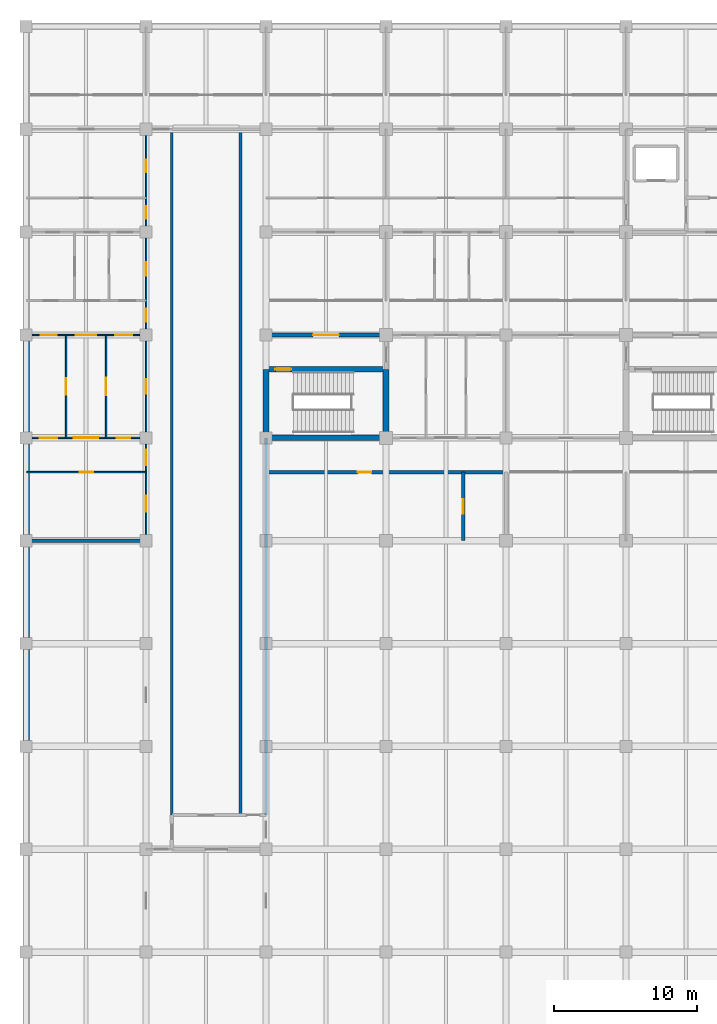
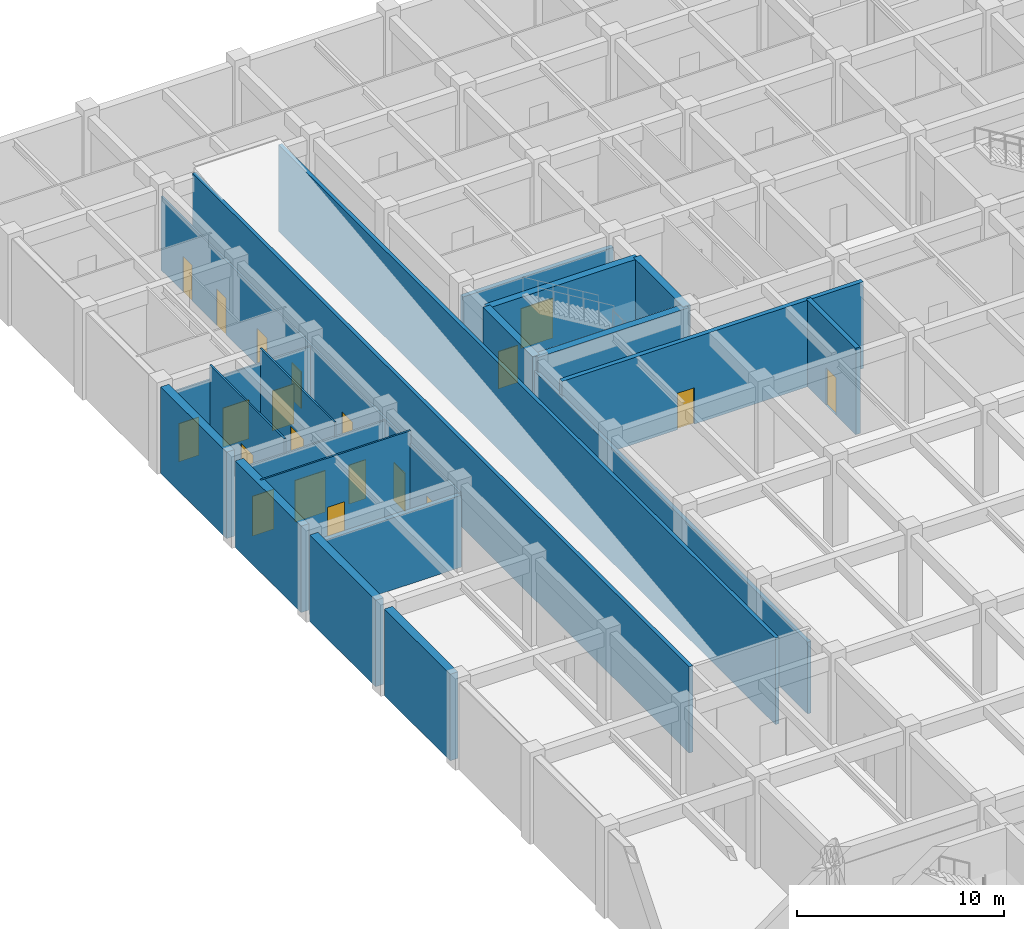
# One storey, part 19 of 48: 21 walls, 20 doors, 20 openings.
"""IFC4 building model written with IfcOpenShell, lengths in metres."""

from ifc_helpers import new_model, si_unit, direction, frame, frame_2d, origin, place, context, subcontext, project, spatial, rectangle, extrude, material, layer, layer_set, type_object, element, fill, save


model = new_model("IFC4")

# Units and contexts
model_context = context("Model", 3, precision=1e-05, world=origin(), true_north=direction((0.0, 1.0)))
body_context = subcontext(model_context, "Body", "Model", "MODEL_VIEW")
ifc_project = project(units=[si_unit("LENGTHUNIT", "METRE"), si_unit("AREAUNIT", "SQUARE_METRE"), si_unit("VOLUMEUNIT", "CUBIC_METRE"), si_unit("PLANEANGLEUNIT", "RADIAN"), si_unit("MASSUNIT", "GRAM", prefix="KILO")], contexts=[model_context])

# Site, building, storey
site_placement = place(None, origin())
site = spatial("IfcSite", under=ifc_project, at=site_placement, CompositionType="ELEMENT")
building_placement = place(site_placement, origin())
building = spatial("IfcBuilding", under=site, at=building_placement, Name="Chengyuan Square Courthouse", CompositionType="ELEMENT")
storey_placement = place(building_placement, frame((0.0, 0.0, -5.39990234375)))
storey = spatial("IfcBuildingStorey", under=building, at=storey_placement, Name="B01", CompositionType="ELEMENT", Elevation=-5.39990234375)

# Wall
ifc_material_1 = material(Name="Concrete C40", Category="concrete")
ifc_layer_1 = layer(ifc_material_1, 0.25)
ifc_layer_set_1 = layer_set([ifc_layer_1], Name="Concrete C40")
wall_type_1 = type_object("IfcWallType", Name="WL-FW1", PredefinedType="STANDARD", material=ifc_layer_set_1)
wall_1_placement = place(storey_placement, frame((0.0400390625, 79.199951171875, 0.0), z_axis=(0.0, 0.0, 1.0), x_axis=(1.0, 0.0, 0.0)))
element("IfcWall", 1, at=wall_1_placement, inside=storey, type_object=wall_type_1, Name="Interior Wall WL-B01-I297", PredefinedType="STANDARD", context=body_context, shape_type="SweptSolid", body=[
    extrude(rectangle(XDim=8.35986328125, YDim=0.25, at=frame_2d((4.179931640625, 0.0))), origin(), (0.0, 0.0, 1.0), 4.25),
])

# Wall, opening, door
wall_2_placement = place(storey_placement, frame((16.800048828125, 84.0, 0.0), z_axis=(0.0, 0.0, 1.0), x_axis=(1.0, 0.0, 0.0)))
wall_2 = element("IfcWall", 2, at=wall_2_placement, inside=storey, type_object=wall_type_1, Name="Interior Wall WL-B01-I302", PredefinedType="STANDARD", context=body_context, shape_type="SweptSolid", body=[
    extrude(rectangle(XDim=16.800048828125, YDim=0.25, at=frame_2d((8.39990234375, 0.0))), origin(), (0.0, 0.0, 1.0), 5.099853515625),
])
opening_1_placement = place(wall_2_placement, frame((6.425048828125, 0.0, 0.0)))
opening_1 = element("IfcOpeningElement", 3, at=opening_1_placement, cuts=wall_2, Name="Opening DR-617", PredefinedType="OPENING", context=body_context, shape_type="SweptSolid", body=[
    extrude(rectangle(XDim=0.949951171875, YDim=2.14990234375, at=frame_2d((0.47509765625, 1.074951171875))), frame((0.0, 0.136962890625, 0.0), z_axis=(0.0, -1.0, 0.0), x_axis=(1.0, 0.0, 0.0)), (0.0, 0.0, 1.0), 0.27392578125),
])
ifc_material_2 = material(Name="Steel Q235B Fire Door", Category="steel")
door_type_1 = type_object("IfcDoorType", Name="DT-12", OperationType="NOTDEFINED", PredefinedType="DOOR", material=ifc_material_2)
door_1_placement = place(opening_1_placement, origin())
door_1 = element("IfcDoor", 4, at=door_1_placement, inside=storey, type_object=door_type_1, Name="Interior Door DR-617", OperationType="SINGLE_SWING_RIGHT", OverallHeight=2.14990234375, OverallWidth=0.949951171875, PredefinedType="DOOR", context=body_context, shape_type="SweptSolid", body=[
    extrude(rectangle(XDim=0.949951171875, YDim=2.14990234375, at=frame_2d((0.47509765625, 1.074951171875))), frame((0.0, 0.02490234375, 0.0), z_axis=(0.0, -1.0, 0.0), x_axis=(1.0, 0.0, 0.0)), (0.0, 0.0, 1.0), 0.050048828125),
])
fill(opening_1, door_1)

wall_3_placement = place(storey_placement, frame((16.800048828125, 93.60009765625, 0.0), z_axis=(0.0, 0.0, 1.0), x_axis=(1.0, 0.0, 0.0)))
wall_3 = element("IfcWall", 5, at=wall_3_placement, inside=storey, type_object=wall_type_1, Name="Interior Wall WL-B01-I337", PredefinedType="STANDARD", context=body_context, shape_type="SweptSolid", body=[
    extrude(rectangle(XDim=8.39990234375, YDim=0.25, at=frame_2d((4.199951171875, 0.0))), origin(), (0.0, 0.0, 1.0), 4.25),
])
opening_2_placement = place(wall_3_placement, frame((3.28759765625, 0.0, 0.0)))
opening_2 = element("IfcOpeningElement", 6, at=opening_2_placement, cuts=wall_3, Name="Opening DR-369", PredefinedType="OPENING", context=body_context, shape_type="SweptSolid", body=[
    extrude(rectangle(XDim=1.800048828125, YDim=2.35009765625, at=frame_2d((0.89990234375, 1.175048828125))), frame((0.0, 0.136962890625, 0.0), z_axis=(0.0, -1.0, 0.0), x_axis=(1.0, 0.0, 0.0)), (0.0, 0.0, 1.0), 0.27392578125),
])
ifc_material_3 = material(Name="Steel Q235B Glazed Fire Door", Category="steel")
door_type_2 = type_object("IfcDoorType", Name="DT-18", OperationType="DOUBLE_DOOR_SINGLE_SWING", PredefinedType="DOOR", material=ifc_material_3)
door_2_placement = place(opening_2_placement, frame((1.800048828125, 0.0, 0.0), z_axis=(0.0, 0.0, 1.0), x_axis=(-1.0, 0.0, 0.0)))
door_2 = element("IfcDoor", 7, at=door_2_placement, inside=storey, type_object=door_type_2, Name="Interior Door DR-369", OperationType="DOUBLE_DOOR_SINGLE_SWING", OverallHeight=2.35009765625, OverallWidth=1.800048828125, PredefinedType="DOOR", context=body_context, shape_type="SweptSolid", body=[
    extrude(rectangle(XDim=1.800048828125, YDim=2.35009765625, at=frame_2d((0.89990234375, 1.175048828125))), frame((0.0, 0.02490234375, 0.0), z_axis=(0.0, -1.0, 0.0), x_axis=(1.0, 0.0, 0.0)), (0.0, 0.0, 1.0), 0.050048828125),
])
fill(opening_2, door_2)

wall_4_placement = place(storey_placement, frame((30.60009765625, 79.199951171875, 0.0), z_axis=(0.0, 0.0, 1.0), x_axis=(0.0, 1.0, 0.0)))
wall_4 = element("IfcWall", 8, at=wall_4_placement, inside=storey, type_object=wall_type_1, Name="Interior Wall WL-B01-I452", PredefinedType="STANDARD", context=body_context, shape_type="SweptSolid", body=[
    extrude(rectangle(XDim=4.800048828125, YDim=0.25, at=frame_2d((2.39990234375, 0.0))), origin(), (0.0, 0.0, 1.0), 5.099853515625),
])
opening_3_placement = place(wall_4_placement, frame((1.89990234375, 0.0, 0.0)))
opening_3 = element("IfcOpeningElement", 9, at=opening_3_placement, cuts=wall_4, Name="Opening DR-637", PredefinedType="OPENING", context=body_context, shape_type="SweptSolid", body=[
    extrude(rectangle(XDim=1.0, YDim=2.199951171875, at=frame_2d((0.5, 1.10009765625))), frame((0.0, 0.136962890625, 0.0), z_axis=(0.0, -1.0, 0.0), x_axis=(1.0, 0.0, 0.0)), (0.0, 0.0, 1.0), 0.27392578125),
])
door_type_3 = type_object("IfcDoorType", Name="DT-11", OperationType="NOTDEFINED", PredefinedType="DOOR", material=ifc_material_2)
door_3_placement = place(opening_3_placement, origin())
door_3 = element("IfcDoor", 10, at=door_3_placement, inside=storey, type_object=door_type_3, Name="Interior Door DR-637", OperationType="SINGLE_SWING_RIGHT", OverallHeight=2.199951171875, OverallWidth=1.0, PredefinedType="DOOR", context=body_context, shape_type="SweptSolid", body=[
    extrude(rectangle(XDim=1.0, YDim=2.199951171875, at=frame_2d((0.5, 1.10009765625))), frame((0.0, 0.02490234375, 0.0), z_axis=(0.0, -1.0, 0.0), x_axis=(1.0, 0.0, 0.0)), (0.0, 0.0, 1.0), 0.050048828125),
])
fill(opening_3, door_3)

ifc_material_4 = material(Name="Gypsum Plasterboard Acoustic Stud Partition")
ifc_layer_2 = layer(ifc_material_4, 0.10009765625)
ifc_layer_set_2 = layer_set([ifc_layer_2], Name="Gypsum Plasterboard Acoustic Stud Partition")
wall_type_2 = type_object("IfcWallType", Name="WL-PT6", PredefinedType="STANDARD", material=ifc_layer_set_2)
wall_5_placement = place(storey_placement, frame((0.0400390625, 84.0, 0.0), z_axis=(0.0, 0.0, 1.0), x_axis=(1.0, 0.0, 0.0)))
wall_5 = element("IfcWall", 11, at=wall_5_placement, inside=storey, type_object=wall_type_2, Name="Interior Wall WL-B01-I301", PredefinedType="STANDARD", context=body_context, shape_type="SweptSolid", body=[
    extrude(rectangle(XDim=8.35986328125, YDim=0.10009765625, at=frame_2d((4.179931640625, 0.0))), origin(), (0.0, 0.0, 1.0), 5.099853515625),
])
opening_4_placement = place(wall_5_placement, frame((3.699951171875, 0.0, 0.0)))
opening_4 = element("IfcOpeningElement", 12, at=opening_4_placement, cuts=wall_5, Name="Opening DR-615", PredefinedType="OPENING", context=body_context, shape_type="SweptSolid", body=[
    extrude(rectangle(XDim=0.9599609375, YDim=2.199951171875, at=frame_2d((0.47998046875, 1.10009765625))), frame((0.0, 0.06201171875, 0.0), z_axis=(0.0, -1.0, 0.0), x_axis=(1.0, 0.0, 0.0)), (0.0, 0.0, 1.0), 0.1240234375),
])
ifc_material_5 = material(Name="Acoustic Solid-Core Timber Door", Category="wood")
door_type_4 = type_object("IfcDoorType", Name="DT-30", OperationType="NOTDEFINED", PredefinedType="DOOR", material=ifc_material_5)
door_4_placement = place(opening_4_placement, origin())
door_4 = element("IfcDoor", 13, at=door_4_placement, inside=storey, type_object=door_type_4, Name="Interior Door DR-615", OperationType="SINGLE_SWING_RIGHT", OverallHeight=2.199951171875, OverallWidth=0.9599609375, PredefinedType="DOOR", context=body_context, shape_type="SweptSolid", body=[
    extrude(rectangle(XDim=0.9599609375, YDim=2.199951171875, at=frame_2d((0.47998046875, 1.10009765625))), frame((0.0, 0.02490234375, 0.0), z_axis=(0.0, -1.0, 0.0), x_axis=(1.0, 0.0, 0.0)), (0.0, 0.0, 1.0), 0.050048828125),
])
fill(opening_4, door_4)

# Wall, openings, doors
wall_6_placement = place(storey_placement, frame((0.0400390625, 86.39990234375, 0.0), z_axis=(0.0, 0.0, 1.0), x_axis=(1.0, 0.0, 0.0)))
wall_6 = element("IfcWall", 14, at=wall_6_placement, inside=storey, type_object=wall_type_2, Name="Interior Wall WL-B01-I305", PredefinedType="STANDARD", context=body_context, shape_type="SweptSolid", body=[
    extrude(rectangle(XDim=8.35986328125, YDim=0.10009765625, at=frame_2d((4.179931640625, 0.0))), origin(), (0.0, 0.0, 1.0), 4.25),
])
opening_5_placement = place(wall_6_placement, frame((0.9326171875, 0.0, 0.0)))
opening_5 = element("IfcOpeningElement", 15, at=opening_5_placement, cuts=wall_6, Name="Opening DR-553", PredefinedType="OPENING", context=body_context, shape_type="SweptSolid", body=[
    extrude(rectangle(XDim=1.199951171875, YDim=2.35009765625, at=frame_2d((0.60009765625, 1.175048828125))), frame((0.0, 0.06201171875, 0.0), z_axis=(0.0, -1.0, 0.0), x_axis=(1.0, 0.0, 0.0)), (0.0, 0.0, 1.0), 0.1240234375),
])
opening_6_placement = place(wall_6_placement, frame((3.31005859375, 0.0, 0.0)))
opening_6 = element("IfcOpeningElement", 16, at=opening_6_placement, cuts=wall_6, Name="Opening DR-555", PredefinedType="OPENING", context=body_context, shape_type="SweptSolid", body=[
    extrude(rectangle(XDim=1.699951171875, YDim=2.449951171875, at=frame_2d((0.85009765625, 1.22509765625))), frame((0.0, 0.06201171875, 0.0), z_axis=(0.0, -1.0, 0.0), x_axis=(1.0, 0.0, 0.0)), (0.0, 0.0, 1.0), 0.1240234375),
])
opening_7_placement = place(wall_6_placement, frame((6.3173828125, 0.0, 0.0)))
opening_7 = element("IfcOpeningElement", 17, at=opening_7_placement, cuts=wall_6, Name="Opening DR-556", PredefinedType="OPENING", context=body_context, shape_type="SweptSolid", body=[
    extrude(rectangle(XDim=0.93994140625, YDim=2.300048828125, at=frame_2d((0.469970703125, 1.14990234375))), frame((0.0, 0.06201171875, 0.0), z_axis=(0.0, -1.0, 0.0), x_axis=(1.0, 0.0, 0.0)), (0.0, 0.0, 1.0), 0.1240234375),
])
ifc_material_6 = material(Name="Acoustic Larch Veneer Double Door")
door_type_5 = type_object("IfcDoorType", Name="DT-24", OperationType="DOUBLE_DOOR_SINGLE_SWING", PredefinedType="DOOR", material=ifc_material_6)
door_5_placement = place(opening_6_placement, frame((1.699951171875, 0.0, 0.0), z_axis=(0.0, 0.0, 1.0), x_axis=(-1.0, 0.0, 0.0)))
door_5 = element("IfcDoor", 18, at=door_5_placement, inside=storey, type_object=door_type_5, Name="Interior Door DR-555", OperationType="DOUBLE_DOOR_SINGLE_SWING", OverallHeight=2.449951171875, OverallWidth=1.699951171875, PredefinedType="DOOR", context=body_context, shape_type="SweptSolid", body=[
    extrude(rectangle(XDim=1.699951171875, YDim=2.449951171875, at=frame_2d((0.85009765625, 1.22509765625))), frame((0.0, 0.02490234375, 0.0), z_axis=(0.0, -1.0, 0.0), x_axis=(1.0, 0.0, 0.0)), (0.0, 0.0, 1.0), 0.050048828125),
])
fill(opening_6, door_5)
door_type_6 = type_object("IfcDoorType", Name="DT-36", OperationType="NOTDEFINED", PredefinedType="DOOR", material=ifc_material_5)
door_6_placement = place(opening_5_placement, origin())
door_6 = element("IfcDoor", 19, at=door_6_placement, inside=storey, type_object=door_type_6, Name="Interior Door DR-553", OperationType="SINGLE_SWING_RIGHT", OverallHeight=2.35009765625, OverallWidth=1.199951171875, PredefinedType="DOOR", context=body_context, shape_type="SweptSolid", body=[
    extrude(rectangle(XDim=1.199951171875, YDim=2.35009765625, at=frame_2d((0.60009765625, 1.175048828125))), frame((0.0, 0.02490234375, 0.0), z_axis=(0.0, -1.0, 0.0), x_axis=(1.0, 0.0, 0.0)), (0.0, 0.0, 1.0), 0.050048828125),
])
fill(opening_5, door_6)
door_type_7 = type_object("IfcDoorType", Name="DT-39", OperationType="NOTDEFINED", PredefinedType="DOOR", material=ifc_material_5)
door_7_placement = place(opening_7_placement, origin())
door_7 = element("IfcDoor", 20, at=door_7_placement, inside=storey, type_object=door_type_7, Name="Interior Door DR-556", OperationType="SINGLE_SWING_RIGHT", OverallHeight=2.300048828125, OverallWidth=0.93994140625, PredefinedType="DOOR", context=body_context, shape_type="SweptSolid", body=[
    extrude(rectangle(XDim=0.93994140625, YDim=2.300048828125, at=frame_2d((0.469970703125, 1.14990234375))), frame((0.0, 0.02490234375, 0.0), z_axis=(0.0, -1.0, 0.0), x_axis=(1.0, 0.0, 0.0)), (0.0, 0.0, 1.0), 0.050048828125),
])
fill(opening_7, door_7)

wall_7_placement = place(storey_placement, frame((0.0400390625, 93.60009765625, 0.0), z_axis=(0.0, 0.0, 1.0), x_axis=(1.0, 0.0, 0.0)))
wall_7 = element("IfcWall", 21, at=wall_7_placement, inside=storey, type_object=wall_type_2, Name="Interior Wall WL-B01-I336", PredefinedType="STANDARD", context=body_context, shape_type="SweptSolid", body=[
    extrude(rectangle(XDim=8.35986328125, YDim=0.10009765625, at=frame_2d((4.179931640625, 0.0))), origin(), (0.0, 0.0, 1.0), 4.25),
])
opening_8_placement = place(wall_7_placement, frame((0.972412109375, 0.0, 0.0)))
opening_8 = element("IfcOpeningElement", 22, at=opening_8_placement, cuts=wall_7, Name="Opening DR-483", PredefinedType="OPENING", context=body_context, shape_type="SweptSolid", body=[
    extrude(rectangle(XDim=1.1201171875, YDim=2.25, at=frame_2d((0.56005859375, 1.125))), frame((0.0, 0.06201171875, 0.0), z_axis=(0.0, -1.0, 0.0), x_axis=(1.0, 0.0, 0.0)), (0.0, 0.0, 1.0), 0.1240234375),
])
opening_9_placement = place(wall_7_placement, frame((3.43505859375, 0.0, 0.0)))
opening_9 = element("IfcOpeningElement", 23, at=opening_9_placement, cuts=wall_7, Name="Opening DR-484", PredefinedType="OPENING", context=body_context, shape_type="SweptSolid", body=[
    extrude(rectangle(XDim=1.449951171875, YDim=2.300048828125, at=frame_2d((0.72509765625, 1.14990234375))), frame((0.0, 0.06201171875, 0.0), z_axis=(0.0, -1.0, 0.0), x_axis=(1.0, 0.0, 0.0)), (0.0, 0.0, 1.0), 0.1240234375),
])
opening_10_placement = place(wall_7_placement, frame((6.1875, 0.0, 0.0)))
opening_10 = element("IfcOpeningElement", 24, at=opening_10_placement, cuts=wall_7, Name="Opening DR-485", PredefinedType="OPENING", context=body_context, shape_type="SweptSolid", body=[
    extrude(rectangle(XDim=1.199951171875, YDim=2.35009765625, at=frame_2d((0.60009765625, 1.175048828125))), frame((0.0, 0.06201171875, 0.0), z_axis=(0.0, -1.0, 0.0), x_axis=(1.0, 0.0, 0.0)), (0.0, 0.0, 1.0), 0.1240234375),
])
door_type_8 = type_object("IfcDoorType", Name="DT-25", OperationType="DOUBLE_DOOR_SINGLE_SWING", PredefinedType="DOOR", material=ifc_material_6)
door_8_placement = place(opening_9_placement, frame((1.449951171875, 0.0, 0.0), z_axis=(0.0, 0.0, 1.0), x_axis=(-1.0, 0.0, 0.0)))
door_8 = element("IfcDoor", 25, at=door_8_placement, inside=storey, type_object=door_type_8, Name="Interior Door DR-484", OperationType="DOUBLE_DOOR_SINGLE_SWING", OverallHeight=2.300048828125, OverallWidth=1.449951171875, PredefinedType="DOOR", context=body_context, shape_type="SweptSolid", body=[
    extrude(rectangle(XDim=1.449951171875, YDim=2.300048828125, at=frame_2d((0.72509765625, 1.14990234375))), frame((0.0, 0.02490234375, 0.0), z_axis=(0.0, -1.0, 0.0), x_axis=(1.0, 0.0, 0.0)), (0.0, 0.0, 1.0), 0.050048828125),
])
fill(opening_9, door_8)
door_type_9 = type_object("IfcDoorType", Name="DT-34", OperationType="NOTDEFINED", PredefinedType="DOOR", material=ifc_material_5)
door_9_placement = place(opening_8_placement, origin())
door_9 = element("IfcDoor", 26, at=door_9_placement, inside=storey, type_object=door_type_9, Name="Interior Door DR-483", OperationType="SINGLE_SWING_LEFT", OverallHeight=2.25, OverallWidth=1.1201171875, PredefinedType="DOOR", context=body_context, shape_type="SweptSolid", body=[
    extrude(rectangle(XDim=1.1201171875, YDim=2.25, at=frame_2d((0.56005859375, 1.125))), frame((0.0, 0.02490234375, 0.0), z_axis=(0.0, -1.0, 0.0), x_axis=(1.0, 0.0, 0.0)), (0.0, 0.0, 1.0), 0.050048828125),
])
fill(opening_8, door_9)
door_10_placement = place(opening_10_placement, origin())
door_10 = element("IfcDoor", 27, at=door_10_placement, inside=storey, type_object=door_type_6, Name="Interior Door DR-485", OperationType="SINGLE_SWING_RIGHT", OverallHeight=2.35009765625, OverallWidth=1.199951171875, PredefinedType="DOOR", context=body_context, shape_type="SweptSolid", body=[
    extrude(rectangle(XDim=1.199951171875, YDim=2.35009765625, at=frame_2d((0.60009765625, 1.175048828125))), frame((0.0, 0.02490234375, 0.0), z_axis=(0.0, -1.0, 0.0), x_axis=(1.0, 0.0, 0.0)), (0.0, 0.0, 1.0), 0.050048828125),
])
fill(opening_10, door_10)

# Wall, opening, door
wall_8_placement = place(storey_placement, frame((2.800048828125, 86.39990234375, 0.0), z_axis=(0.0, 0.0, 1.0), x_axis=(0.0, 1.0, 0.0)))
wall_8 = element("IfcWall", 28, at=wall_8_placement, inside=storey, type_object=wall_type_2, Name="Interior Wall WL-B01-I428", PredefinedType="STANDARD", context=body_context, shape_type="SweptSolid", body=[
    extrude(rectangle(XDim=7.2001953125, YDim=0.10009765625, at=frame_2d((3.60009765625, 0.0))), origin(), (0.0, 0.0, 1.0), 5.099853515625),
])
opening_11_placement = place(wall_8_placement, frame((3.02001953125, 0.0, 0.0)))
opening_11 = element("IfcOpeningElement", 29, at=opening_11_placement, cuts=wall_8, Name="Opening DR-552", PredefinedType="OPENING", context=body_context, shape_type="SweptSolid", body=[
    extrude(rectangle(XDim=1.159912109375, YDim=2.300048828125, at=frame_2d((0.580078125, 1.14990234375))), frame((0.0, 0.06201171875, 0.0), z_axis=(0.0, -1.0, 0.0), x_axis=(1.0, 0.0, 0.0)), (0.0, 0.0, 1.0), 0.1240234375),
])
door_type_10 = type_object("IfcDoorType", Name="DT-35", OperationType="NOTDEFINED", PredefinedType="DOOR", material=ifc_material_5)
door_11_placement = place(opening_11_placement, origin())
door_11 = element("IfcDoor", 30, at=door_11_placement, inside=storey, type_object=door_type_10, Name="Interior Door DR-552", OperationType="SINGLE_SWING_LEFT", OverallHeight=2.300048828125, OverallWidth=1.159912109375, PredefinedType="DOOR", context=body_context, shape_type="SweptSolid", body=[
    extrude(rectangle(XDim=1.159912109375, YDim=2.300048828125, at=frame_2d((0.580078125, 1.14990234375))), frame((0.0, 0.02490234375, 0.0), z_axis=(0.0, -1.0, 0.0), x_axis=(1.0, 0.0, 0.0)), (0.0, 0.0, 1.0), 0.050048828125),
])
fill(opening_11, door_11)

wall_9_placement = place(storey_placement, frame((5.60009765625, 86.39990234375, 0.0), z_axis=(0.0, 0.0, 1.0), x_axis=(0.0, 1.0, 0.0)))
wall_9 = element("IfcWall", 31, at=wall_9_placement, inside=storey, type_object=wall_type_2, Name="Interior Wall WL-B01-I430", PredefinedType="STANDARD", context=body_context, shape_type="SweptSolid", body=[
    extrude(rectangle(XDim=7.2001953125, YDim=0.10009765625, at=frame_2d((3.60009765625, 0.0))), origin(), (0.0, 0.0, 1.0), 5.099853515625),
])
opening_12_placement = place(wall_9_placement, frame((2.97998046875, 0.0, 0.0)))
opening_12 = element("IfcOpeningElement", 32, at=opening_12_placement, cuts=wall_9, Name="Opening DR-554", PredefinedType="OPENING", context=body_context, shape_type="SweptSolid", body=[
    extrude(rectangle(XDim=1.239990234375, YDim=2.300048828125, at=frame_2d((0.6201171875, 1.14990234375))), frame((0.0, 0.06201171875, 0.0), z_axis=(0.0, -1.0, 0.0), x_axis=(1.0, 0.0, 0.0)), (0.0, 0.0, 1.0), 0.1240234375),
])
door_type_11 = type_object("IfcDoorType", Name="DT-37", OperationType="NOTDEFINED", PredefinedType="DOOR", material=ifc_material_5)
door_12_placement = place(opening_12_placement, origin())
door_12 = element("IfcDoor", 33, at=door_12_placement, inside=storey, type_object=door_type_11, Name="Interior Door DR-554", OperationType="SINGLE_SWING_LEFT", OverallHeight=2.300048828125, OverallWidth=1.239990234375, PredefinedType="DOOR", context=body_context, shape_type="SweptSolid", body=[
    extrude(rectangle(XDim=1.239990234375, YDim=2.300048828125, at=frame_2d((0.6201171875, 1.14990234375))), frame((0.0, 0.02490234375, 0.0), z_axis=(0.0, -1.0, 0.0), x_axis=(1.0, 0.0, 0.0)), (0.0, 0.0, 1.0), 0.050048828125),
])
fill(opening_12, door_12)

# Wall, openings, doors
wall_10_placement = place(storey_placement, frame((8.39990234375, 79.199951171875, 0.0), z_axis=(0.0, 0.0, 1.0), x_axis=(0.0, 1.0, 0.0)))
wall_10 = element("IfcWall", 34, at=wall_10_placement, inside=storey, type_object=wall_type_2, Name="Interior Wall WL-B01-I434", PredefinedType="STANDARD", context=body_context, shape_type="SweptSolid", body=[
    extrude(rectangle(XDim=28.800048828125, YDim=0.10009765625, at=frame_2d((14.39990234375, 0.0))), origin(), (0.0, 0.0, 1.0), 4.349853515625),
])
opening_13_placement = place(wall_10_placement, frame((22.5224609375, 0.0, 0.0)))
opening_13 = element("IfcOpeningElement", 35, at=opening_13_placement, cuts=wall_10, Name="Opening DR-374", PredefinedType="OPENING", context=body_context, shape_type="SweptSolid", body=[
    extrude(rectangle(XDim=0.89990234375, YDim=2.14990234375, at=frame_2d((0.449951171875, 1.074951171875))), frame((0.0, 0.06201171875, 0.0), z_axis=(0.0, -1.0, 0.0), x_axis=(1.0, 0.0, 0.0)), (0.0, 0.0, 1.0), 0.1240234375),
])
opening_14_placement = place(wall_10_placement, frame((25.797607421875, 0.0, 0.0)))
opening_14 = element("IfcOpeningElement", 36, at=opening_14_placement, cuts=wall_10, Name="Opening DR-375", PredefinedType="OPENING", context=body_context, shape_type="SweptSolid", body=[
    extrude(rectangle(XDim=0.860107421875, YDim=2.10009765625, at=frame_2d((0.43017578125, 1.050048828125))), frame((0.0, 0.06201171875, 0.0), z_axis=(0.0, -1.0, 0.0), x_axis=(1.0, 0.0, 0.0)), (0.0, 0.0, 1.0), 0.1240234375),
])
opening_15_placement = place(wall_10_placement, frame((15.3125, 0.0, 0.0)))
opening_15 = element("IfcOpeningElement", 37, at=opening_15_placement, cuts=wall_10, Name="Opening DR-376", PredefinedType="OPENING", context=body_context, shape_type="SweptSolid", body=[
    extrude(rectangle(XDim=0.919921875, YDim=2.14990234375, at=frame_2d((0.4599609375, 1.074951171875))), frame((0.0, 0.06201171875, 0.0), z_axis=(0.0, -1.0, 0.0), x_axis=(1.0, 0.0, 0.0)), (0.0, 0.0, 1.0), 0.1240234375),
])
opening_16_placement = place(wall_10_placement, frame((18.547607421875, 0.0, 0.0)))
opening_16 = element("IfcOpeningElement", 38, at=opening_16_placement, cuts=wall_10, Name="Opening DR-377", PredefinedType="OPENING", context=body_context, shape_type="SweptSolid", body=[
    extrude(rectangle(XDim=0.9599609375, YDim=2.199951171875, at=frame_2d((0.47998046875, 1.10009765625))), frame((0.0, 0.06201171875, 0.0), z_axis=(0.0, -1.0, 0.0), x_axis=(1.0, 0.0, 0.0)), (0.0, 0.0, 1.0), 0.1240234375),
])
opening_17_placement = place(wall_10_placement, frame((10.300048828125, 0.0, 0.0)))
opening_17 = element("IfcOpeningElement", 39, at=opening_17_placement, cuts=wall_10, Name="Opening DR-378", PredefinedType="OPENING", context=body_context, shape_type="SweptSolid", body=[
    extrude(rectangle(XDim=1.0, YDim=2.25, at=frame_2d((0.5, 1.125))), frame((0.0, 0.06201171875, 0.0), z_axis=(0.0, -1.0, 0.0), x_axis=(1.0, 0.0, 0.0)), (0.0, 0.0, 1.0), 0.1240234375),
])
opening_18_placement = place(wall_10_placement, frame((5.28759765625, 0.0, 0.0)))
opening_18 = element("IfcOpeningElement", 40, at=opening_18_placement, cuts=wall_10, Name="Opening DR-380", PredefinedType="OPENING", context=body_context, shape_type="SweptSolid", body=[
    extrude(rectangle(XDim=1.080078125, YDim=2.25, at=frame_2d((0.5400390625, 1.125))), frame((0.0, 0.06201171875, 0.0), z_axis=(0.0, -1.0, 0.0), x_axis=(1.0, 0.0, 0.0)), (0.0, 0.0, 1.0), 0.1240234375),
])
opening_19_placement = place(wall_10_placement, frame((2.012451171875, 0.0, 0.0)))
opening_19 = element("IfcOpeningElement", 41, at=opening_19_placement, cuts=wall_10, Name="Opening DR-381", PredefinedType="OPENING", context=body_context, shape_type="SweptSolid", body=[
    extrude(rectangle(XDim=1.1201171875, YDim=2.25, at=frame_2d((0.56005859375, 1.125))), frame((0.0, 0.06201171875, 0.0), z_axis=(0.0, -1.0, 0.0), x_axis=(1.0, 0.0, 0.0)), (0.0, 0.0, 1.0), 0.1240234375),
])
door_type_12 = type_object("IfcDoorType", Name="DT-27", OperationType="NOTDEFINED", PredefinedType="DOOR", material=ifc_material_5)
door_13_placement = place(opening_13_placement, origin())
door_13 = element("IfcDoor", 42, at=door_13_placement, inside=storey, type_object=door_type_12, Name="Interior Door DR-374", OperationType="SINGLE_SWING_LEFT", OverallHeight=2.14990234375, OverallWidth=0.89990234375, PredefinedType="DOOR", context=body_context, shape_type="SweptSolid", body=[
    extrude(rectangle(XDim=0.89990234375, YDim=2.14990234375, at=frame_2d((0.449951171875, 1.074951171875))), frame((0.0, 0.02490234375, 0.0), z_axis=(0.0, -1.0, 0.0), x_axis=(1.0, 0.0, 0.0)), (0.0, 0.0, 1.0), 0.050048828125),
])
fill(opening_13, door_13)
door_type_13 = type_object("IfcDoorType", Name="DT-28", OperationType="NOTDEFINED", PredefinedType="DOOR", material=ifc_material_5)
door_14_placement = place(opening_14_placement, origin())
door_14 = element("IfcDoor", 43, at=door_14_placement, inside=storey, type_object=door_type_13, Name="Interior Door DR-375", OperationType="SINGLE_SWING_RIGHT", OverallHeight=2.10009765625, OverallWidth=0.860107421875, PredefinedType="DOOR", context=body_context, shape_type="SweptSolid", body=[
    extrude(rectangle(XDim=0.860107421875, YDim=2.10009765625, at=frame_2d((0.43017578125, 1.050048828125))), frame((0.0, 0.02490234375, 0.0), z_axis=(0.0, -1.0, 0.0), x_axis=(1.0, 0.0, 0.0)), (0.0, 0.0, 1.0), 0.050048828125),
])
fill(opening_14, door_14)
door_type_14 = type_object("IfcDoorType", Name="DT-29", OperationType="NOTDEFINED", PredefinedType="DOOR", material=ifc_material_5)
door_15_placement = place(opening_15_placement, origin())
door_15 = element("IfcDoor", 44, at=door_15_placement, inside=storey, type_object=door_type_14, Name="Interior Door DR-376", OperationType="SINGLE_SWING_LEFT", OverallHeight=2.14990234375, OverallWidth=0.919921875, PredefinedType="DOOR", context=body_context, shape_type="SweptSolid", body=[
    extrude(rectangle(XDim=0.919921875, YDim=2.14990234375, at=frame_2d((0.4599609375, 1.074951171875))), frame((0.0, 0.02490234375, 0.0), z_axis=(0.0, -1.0, 0.0), x_axis=(1.0, 0.0, 0.0)), (0.0, 0.0, 1.0), 0.050048828125),
])
fill(opening_15, door_15)
door_16_placement = place(opening_16_placement, origin())
door_16 = element("IfcDoor", 45, at=door_16_placement, inside=storey, type_object=door_type_4, Name="Interior Door DR-377", OperationType="SINGLE_SWING_RIGHT", OverallHeight=2.199951171875, OverallWidth=0.9599609375, PredefinedType="DOOR", context=body_context, shape_type="SweptSolid", body=[
    extrude(rectangle(XDim=0.9599609375, YDim=2.199951171875, at=frame_2d((0.47998046875, 1.10009765625))), frame((0.0, 0.02490234375, 0.0), z_axis=(0.0, -1.0, 0.0), x_axis=(1.0, 0.0, 0.0)), (0.0, 0.0, 1.0), 0.050048828125),
])
fill(opening_16, door_16)
door_type_15 = type_object("IfcDoorType", Name="DT-31", OperationType="NOTDEFINED", PredefinedType="DOOR", material=ifc_material_5)
door_17_placement = place(opening_17_placement, origin())
door_17 = element("IfcDoor", 46, at=door_17_placement, inside=storey, type_object=door_type_15, Name="Interior Door DR-378", OperationType="SINGLE_SWING_LEFT", OverallHeight=2.25, OverallWidth=1.0, PredefinedType="DOOR", context=body_context, shape_type="SweptSolid", body=[
    extrude(rectangle(XDim=1.0, YDim=2.25, at=frame_2d((0.5, 1.125))), frame((0.0, 0.02490234375, 0.0), z_axis=(0.0, -1.0, 0.0), x_axis=(1.0, 0.0, 0.0)), (0.0, 0.0, 1.0), 0.050048828125),
])
fill(opening_17, door_17)
door_type_16 = type_object("IfcDoorType", Name="DT-33", OperationType="NOTDEFINED", PredefinedType="DOOR", material=ifc_material_5)
door_18_placement = place(opening_18_placement, origin())
door_18 = element("IfcDoor", 47, at=door_18_placement, inside=storey, type_object=door_type_16, Name="Interior Door DR-380", OperationType="SINGLE_SWING_LEFT", OverallHeight=2.25, OverallWidth=1.080078125, PredefinedType="DOOR", context=body_context, shape_type="SweptSolid", body=[
    extrude(rectangle(XDim=1.080078125, YDim=2.25, at=frame_2d((0.5400390625, 1.125))), frame((0.0, 0.02490234375, 0.0), z_axis=(0.0, -1.0, 0.0), x_axis=(1.0, 0.0, 0.0)), (0.0, 0.0, 1.0), 0.050048828125),
])
fill(opening_18, door_18)
door_19_placement = place(opening_19_placement, origin())
door_19 = element("IfcDoor", 48, at=door_19_placement, inside=storey, type_object=door_type_9, Name="Interior Door DR-381", OperationType="SINGLE_SWING_RIGHT", OverallHeight=2.25, OverallWidth=1.1201171875, PredefinedType="DOOR", context=body_context, shape_type="SweptSolid", body=[
    extrude(rectangle(XDim=1.1201171875, YDim=2.25, at=frame_2d((0.56005859375, 1.125))), frame((0.0, 0.02490234375, 0.0), z_axis=(0.0, -1.0, 0.0), x_axis=(1.0, 0.0, 0.0)), (0.0, 0.0, 1.0), 0.050048828125),
])
fill(opening_19, door_19)

# Walls
ifc_layer_3 = layer(ifc_material_1, 0.449951171875)
ifc_layer_set_3 = layer_set([ifc_layer_3], Name="Concrete C40")
wall_type_3 = type_object("IfcWallType", Name="WL-RW2", PredefinedType="USERDEFINED", material=ifc_layer_set_3)
for number, where, z_axis, x_axis, name in (
    (49, (0.0, 65.219970703125, 0.0), (0.0, 0.0, 1.0), (0.0, 1.0, 0.0), "Basement Retaining Wall WL-B01-E083"),
    (50, (0.0, 72.419921875, 0.0), (0.0, 0.0, 1.0), (0.0, 1.0, 0.0), "Basement Retaining Wall WL-B01-E084"),
):
    element("IfcWall", number, at=place(storey_placement, frame(where, z_axis=z_axis, x_axis=x_axis)), inside=storey, type_object=wall_type_3, Name=name, ObjectType="RETAININGWALL", PredefinedType="USERDEFINED", context=body_context, shape_type="SweptSolid", body=[
        extrude(rectangle(XDim=6.360107421875, YDim=0.449951171875, at=frame_2d((3.18017578125, 0.0))), origin(), (0.0, 0.0, 1.0), 5.099853515625),
    ])
for number, where, z_axis, x_axis, name in (
    (51, (0.0, 79.6201171875, 0.0), (0.0, 0.0, 1.0), (0.0, 1.0, 0.0), "Basement Retaining Wall WL-B01-E085"),
    (52, (0.0, 86.820068359375, 0.0), (0.0, 0.0, 1.0), (0.0, 1.0, 0.0), "Basement Retaining Wall WL-B01-E086"),
):
    element("IfcWall", number, at=place(storey_placement, frame(where, z_axis=z_axis, x_axis=x_axis)), inside=storey, type_object=wall_type_3, Name=name, ObjectType="RETAININGWALL", PredefinedType="USERDEFINED", context=body_context, shape_type="SweptSolid", body=[
        extrude(rectangle(XDim=6.35986328125, YDim=0.449951171875, at=frame_2d((3.179931640625, 0.0))), origin(), (0.0, 0.0, 1.0), 5.099853515625),
    ])
ifc_material_7 = material(Name="Reinforced Masonry Shaft Enclosure", Category="masonry")
ifc_layer_4 = layer(ifc_material_7, 0.199951171875)
ifc_layer_set_4 = layer_set([ifc_layer_4], Name="Reinforced Masonry Shaft Enclosure")
wall_type_4 = type_object("IfcWallType", Name="WL-SH1", PredefinedType="STANDARD", material=ifc_layer_set_4)
for number, where, z_axis, x_axis, name in (
    (53, (10.199951171875, 60.0, 0.0), (0.0, 0.0, 1.0), (0.0, 1.0, 0.0), "Interior Wall WL-B01-I437"),
    (54, (15.0, 60.0, 0.0), (0.0, 0.0, 1.0), (0.0, 1.0, 0.0), "Interior Wall WL-B01-I438"),
):
    element("IfcWall", number, at=place(storey_placement, frame(where, z_axis=z_axis, x_axis=x_axis)), inside=storey, type_object=wall_type_4, Name=name, PredefinedType="STANDARD", context=body_context, shape_type="SweptSolid", body=[
        extrude(rectangle(XDim=48.0, YDim=0.199951171875, at=frame_2d((24.0, 0.0))), origin(), (0.0, 0.0, 1.0), 5.099853515625),
    ])
wall_11_placement = place(storey_placement, frame((16.800048828125, 60.0, 0.0), z_axis=(0.0, 0.0, 1.0), x_axis=(0.0, 1.0, 0.0)))
element("IfcWall", 55, at=wall_11_placement, inside=storey, type_object=wall_type_4, Name="Interior Wall WL-B01-I441", PredefinedType="STANDARD", context=body_context, shape_type="SweptSolid", body=[
    extrude(rectangle(XDim=26.39990234375, YDim=0.199951171875, at=frame_2d((13.199951171875, 0.0))), origin(), (0.0, 0.0, 1.0), 4.22998046875),
])
ifc_material_8 = material(Name="Concrete C50", Category="concrete")
ifc_layer_5 = layer(ifc_material_8, 0.39990234375)
ifc_layer_set_5 = layer_set([ifc_layer_5], Name="Concrete C50")
wall_type_5 = type_object("IfcWallType", Name="WL-SW1", PredefinedType="SHEAR", material=ifc_layer_set_5)
wall_12_placement = place(storey_placement, frame((16.800048828125, 86.39990234375, 0.0), z_axis=(0.0, 0.0, 1.0), x_axis=(1.0, 0.0, 0.0)))
element("IfcWall", 56, at=wall_12_placement, inside=storey, type_object=wall_type_5, Name="Interior Wall WL-B01-I306", PredefinedType="SHEAR", context=body_context, shape_type="SweptSolid", body=[
    extrude(rectangle(XDim=8.39990234375, YDim=0.39990234375, at=frame_2d((4.199951171875, 0.0))), origin(), (0.0, 0.0, 1.0), 5.099853515625),
])

# Wall, opening, door
wall_13_placement = place(storey_placement, frame((16.800048828125, 91.199951171875, 0.0), z_axis=(0.0, 0.0, 1.0), x_axis=(1.0, 0.0, 0.0)))
wall_13 = element("IfcWall", 57, at=wall_13_placement, inside=storey, type_object=wall_type_5, Name="Interior Wall WL-B01-I329", PredefinedType="SHEAR", context=body_context, shape_type="SweptSolid", body=[
    extrude(rectangle(XDim=8.39990234375, YDim=0.39990234375, at=frame_2d((4.199951171875, 0.0))), origin(), (0.0, 0.0, 1.0), 5.099853515625),
])
opening_20_placement = place(wall_13_placement, frame((0.64990234375, 0.0, 0.0)))
opening_20 = element("IfcOpeningElement", 58, at=opening_20_placement, cuts=wall_13, Name="Opening DR-343", PredefinedType="OPENING", context=body_context, shape_type="SweptSolid", body=[
    extrude(rectangle(XDim=1.10009765625, YDim=2.199951171875, at=frame_2d((0.550048828125, 1.10009765625))), frame((0.0, 0.2119140625, 0.0), z_axis=(0.0, -1.0, 0.0), x_axis=(1.0, 0.0, 0.0)), (0.0, 0.0, 1.0), 0.423828125),
])
door_type_17 = type_object("IfcDoorType", Name="DT-10", OperationType="NOTDEFINED", PredefinedType="DOOR", material=ifc_material_2)
door_20_placement = place(opening_20_placement, frame((1.10009765625, 0.0, 0.0), z_axis=(0.0, 0.0, 1.0), x_axis=(-1.0, 0.0, 0.0)))
door_20 = element("IfcDoor", 59, at=door_20_placement, inside=storey, type_object=door_type_17, Name="Smoke-Proof Stairwell Fire Door ST-9 DR-343", OperationType="SINGLE_SWING_RIGHT", OverallHeight=2.199951171875, OverallWidth=1.10009765625, PredefinedType="DOOR", context=body_context, shape_type="SweptSolid", body=[
    extrude(rectangle(XDim=1.10009765625, YDim=2.199951171875, at=frame_2d((0.550048828125, 1.10009765625))), frame((0.0, 0.02490234375, 0.0), z_axis=(0.0, -1.0, 0.0), x_axis=(1.0, 0.0, 0.0)), (0.0, 0.0, 1.0), 0.050048828125),
])
fill(opening_20, door_20)

# Walls
for number, where, z_axis, x_axis, name in (
    (60, (16.800048828125, 86.39990234375, 0.0), (0.0, 0.0, 1.0), (0.0, 1.0, 0.0), "Interior Wall WL-B01-I442"),
    (61, (25.199951171875, 86.39990234375, 0.0), (0.0, 0.0, 1.0), (0.0, 1.0, 0.0), "Interior Wall WL-B01-I445"),
):
    element("IfcWall", number, at=place(storey_placement, frame(where, z_axis=z_axis, x_axis=x_axis)), inside=storey, type_object=wall_type_5, Name=name, PredefinedType="SHEAR", context=body_context, shape_type="SweptSolid", body=[
        extrude(rectangle(XDim=4.800048828125, YDim=0.39990234375, at=frame_2d((2.39990234375, 0.0))), origin(), (0.0, 0.0, 1.0), 5.099853515625),
    ])

save(model, "model.ifc")
